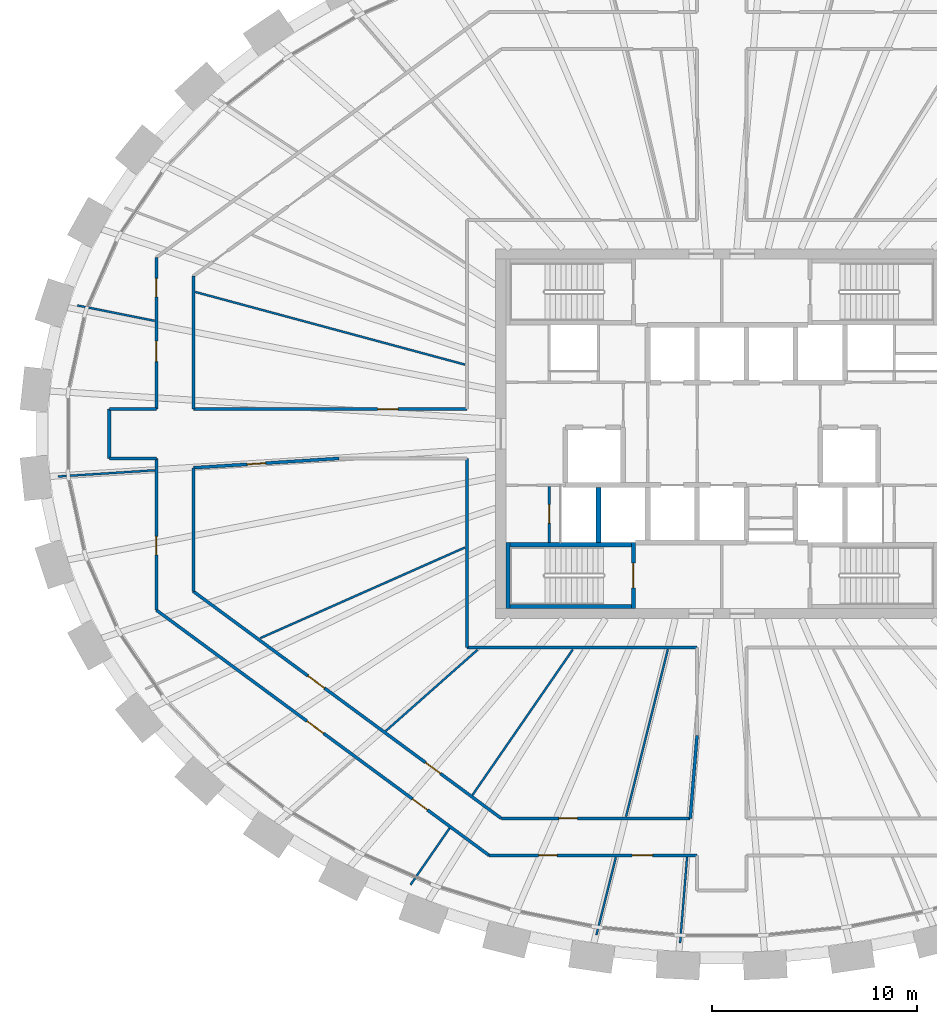
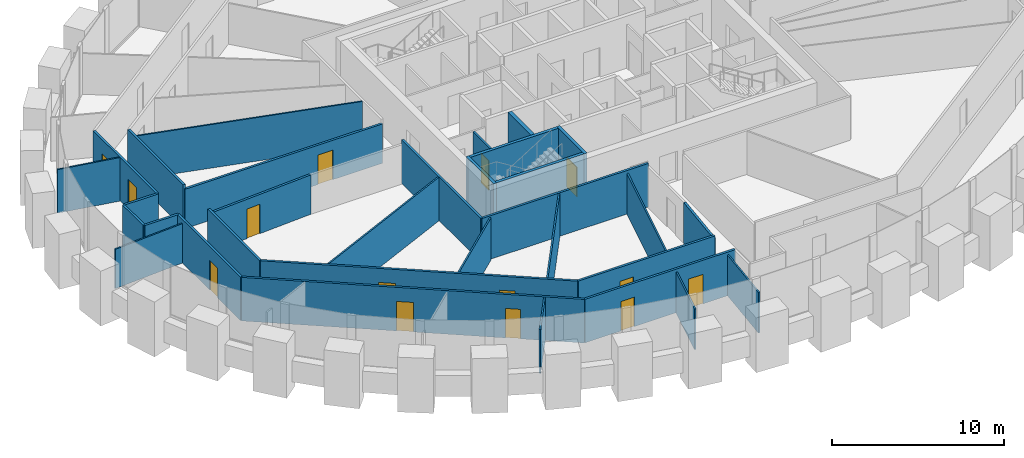
# One storey, part 6 of 12: 32 walls, 14 doors, 14 openings.
"""IFC4 building model written with IfcOpenShell, lengths in metres."""

import ifcopenshell
import ifcopenshell.guid

model = None  # the IFC model being written
_history = None  # IfcOwnerHistory: only IFC2X3 demands one
_inside = {}  # id of a spatial element -> (the spatial element, [elements in it])
_under = {}  # id of a project, library or spatial element -> (it, [spatial elements below it])
_declared = {}  # id of a project -> (the project, [libraries it declares])
_typed = {}  # id of a type object -> (the type object, [elements of that type])
_made_of = {}  # id of a material, layer set ... -> (it, [elements and type objects made of it])


def new_model(schema):
    """Start an empty IFC model of exactly this schema.

    Asked for "IFC4X3", IfcOpenShell would pick the latest addendum, in which some entities
    have other attributes; the version numbers below select the first issue.
    IFC2X3 requires an IfcOwnerHistory on every rooted entity: one is made here for all.
    """
    global model, _history
    if schema == "IFC4X3":
        model = ifcopenshell.file(schema_version=(4, 3, 0, 0))
    else:
        model = ifcopenshell.file(schema=schema)
    _inside.clear()
    _under.clear()
    _declared.clear()
    _typed.clear()
    _made_of.clear()
    _history = None
    if model.schema == "IFC2X3":
        org = make("IfcOrganization", Name="unknown")
        user = make(
            "IfcPersonAndOrganization",
            ThePerson=make("IfcPerson", FamilyName="unknown"),
            TheOrganization=org,
        )
        app = make(
            "IfcApplication",
            ApplicationDeveloper=org,
            Version="unknown",
            ApplicationFullName="unknown",
            ApplicationIdentifier="unknown",
        )
        _history = make(
            "IfcOwnerHistory",
            OwningUser=user,
            OwningApplication=app,
            ChangeAction="ADDED",
            CreationDate=0,
        )
    return model


def make(cls, **values):
    """One entity of the class cls with the attributes given. An attribute that is None is left unset."""
    return model.create_entity(
        cls, **{name: value for name, value in values.items() if value is not None}
    )


def rooted(cls, **values):
    """An entity with a GlobalId (a new one), such as an element, a storey or a relation."""
    return make(cls, GlobalId=ifcopenshell.guid.new(), OwnerHistory=_history, **values)


def si_unit(unit_type, name, prefix=None):
    """IfcSIUnit, for example si_unit("LENGTHUNIT", "METRE", prefix="MILLI")."""
    return make("IfcSIUnit", UnitType=unit_type, Prefix=prefix, Name=name)


def assignment(units):
    """IfcUnitAssignment: the units of a project."""
    return None if units is None else make("IfcUnitAssignment", Units=units)


def point(xyz):
    """IfcCartesianPoint."""
    return None if xyz is None else make("IfcCartesianPoint", Coordinates=xyz)


def direction(xyz):
    """IfcDirection."""
    return None if xyz is None else make("IfcDirection", DirectionRatios=xyz)


def frame(location, z_axis=None, x_axis=None):
    """IfcAxis2Placement3D, a coordinate frame: its origin and axes. An axis left out is left unset."""
    return make(
        "IfcAxis2Placement3D",
        Location=point(location),
        Axis=direction(z_axis),
        RefDirection=direction(x_axis),
    )


def frame_2d(location, x_axis=None):
    """IfcAxis2Placement2D, a coordinate frame in the plane: its origin and x axis."""
    return make(
        "IfcAxis2Placement2D", Location=point(location), RefDirection=direction(x_axis)
    )


def origin():
    """The frame at (0, 0, 0) with its axes left unset."""
    return frame((0.0, 0.0, 0.0))


def place(relative_to, where):
    """IfcLocalPlacement: puts the frame where relative to a parent placement (None: the world)."""
    return make(
        "IfcLocalPlacement", PlacementRelTo=relative_to, RelativePlacement=where
    )


def context(
    kind, dimensions, precision=None, world=None, true_north=None, identifier=None
):
    """IfcGeometricRepresentationContext, for example the 3D "Model" context."""
    return make(
        "IfcGeometricRepresentationContext",
        ContextIdentifier=identifier,
        ContextType=kind,
        CoordinateSpaceDimension=dimensions,
        Precision=precision,
        WorldCoordinateSystem=world,
        TrueNorth=true_north,
    )


def subcontext(parent, identifier, kind, view, scale=None):
    """IfcGeometricRepresentationSubContext, for example "Body" below "Model"."""
    return make(
        "IfcGeometricRepresentationSubContext",
        ContextIdentifier=identifier,
        ContextType=kind,
        ParentContext=parent,
        TargetScale=scale,
        TargetView=view,
    )


def project(units=None, contexts=None):
    """IfcProject with its units and contexts."""
    return rooted(
        "IfcProject",
        Name="project",
        RepresentationContexts=contexts,
        UnitsInContext=assignment(units),
    )


def spatial(cls, under=None, at=None, **own):
    """A site, building, storey or space (cls), placed at a placement, below another one or the project."""
    s = rooted(cls, ObjectPlacement=at, **own)
    if under is not None:
        _under.setdefault(under.id(), (under, []))[1].append(s)
    return s


def profile(cls, at=None, kind="AREA", **sizes):
    """A parametric profile (cls). Its sizes go by their IFC names, for example OverallWidth=200.0."""
    return make(cls, ProfileType=kind, Position=at, **sizes)


def rectangle(**sizes):
    """IfcRectangleProfileDef."""
    return profile("IfcRectangleProfileDef", **sizes)


def extrude(swept, where, along, depth):
    """IfcExtrudedAreaSolid: the profile swept, set in the frame where, extruded along a direction by depth."""
    return make(
        "IfcExtrudedAreaSolid",
        SweptArea=swept,
        Position=where,
        ExtrudedDirection=direction(along),
        Depth=depth,
    )


def shape(context_of_items, identifier, shape_type, items):
    """IfcShapeRepresentation: the items that make up one representation, for example the "Body"."""
    return make(
        "IfcShapeRepresentation",
        ContextOfItems=context_of_items,
        RepresentationIdentifier=identifier,
        RepresentationType=shape_type,
        Items=items,
    )


def source(mapping_origin, context_of_items, identifier, shape_type, items):
    """IfcRepresentationMap: a shape defined once, which mapped items show again and again."""
    return make(
        "IfcRepresentationMap",
        MappingOrigin=mapping_origin,
        MappedRepresentation=shape(context_of_items, identifier, shape_type, items),
    )


def transform(
    local_origin,
    x_axis=None,
    y_axis=None,
    z_axis=None,
    scale=None,
    scale2=None,
    scale3=None,
    uniform=True,
):
    """IfcCartesianTransformationOperator3D, or its non-uniform kind. x_axis, y_axis, z_axis: its Axis1, 2, 3."""
    if uniform:
        return make(
            "IfcCartesianTransformationOperator3D",
            Axis1=direction(x_axis),
            Axis2=direction(y_axis),
            LocalOrigin=point(local_origin),
            Scale=scale,
            Axis3=direction(z_axis),
        )
    return make(
        "IfcCartesianTransformationOperator3DnonUniform",
        Axis1=direction(x_axis),
        Axis2=direction(y_axis),
        LocalOrigin=point(local_origin),
        Scale=scale,
        Axis3=direction(z_axis),
        Scale2=scale2,
        Scale3=scale3,
    )


def mapped(mapping_source, mapping_target):
    """IfcMappedItem: shows the shape of a source again, moved by a transform."""
    return make(
        "IfcMappedItem", MappingSource=mapping_source, MappingTarget=mapping_target
    )


def material(Name=None, Category=None):
    """IfcMaterial."""
    return make("IfcMaterial", Name=Name, Category=Category)


def layer(
    of_material, thickness, ventilated=None, Name=None, Category=None, Priority=None
):
    """IfcMaterialLayer: one layer of a wall or slab, of a material (None: an air gap)."""
    return make(
        "IfcMaterialLayer",
        Material=of_material,
        LayerThickness=thickness,
        IsVentilated=ventilated,
        Name=Name,
        Category=Category,
        Priority=Priority,
    )


def layer_set(layers, Name=None):
    """IfcMaterialLayerSet."""
    return make("IfcMaterialLayerSet", MaterialLayers=layers, LayerSetName=Name)


def made_of(thing, what):
    """Note that an element or type object is made of a material, layer set ...; save() writes the relation."""
    if what is not None:
        _made_of.setdefault(what.id(), (what, []))[1].append(thing)
    return thing


def type_object(cls, material=None, **own):
    """A type object (cls), such as IfcWallType, which elements share."""
    return made_of(rooted(cls, **own), material)


def element(
    cls,
    number,
    at=None,
    inside=None,
    cuts=None,
    type_object=None,
    material=None,
    context=None,
    identifier="Body",
    shape_type=None,
    held_by="IfcProductDefinitionShape",
    body=None,
    shapes=None,
    **own,
):
    """One element of the class cls, such as IfcWall. Its Tag is "e" and its number.

    at: its placement. inside: the storey or other place that contains it. cuts: it is an
    opening in that element (IfcRelVoidsElement). A single representation is given by context,
    identifier, shape_type and body (its items); several are given by shapes. held_by: the class
    of the entity that holds the representations. save() writes the other relations.
    """
    e = rooted(cls, Tag="e%d" % number, ObjectPlacement=at, **own)
    if body is not None:
        shapes = [shape(context, identifier, shape_type, body)]
    if shapes is not None:
        e.Representation = make(held_by, Representations=shapes)
    if inside is not None:
        _inside.setdefault(inside.id(), (inside, []))[1].append(e)
    if cuts is not None:
        rooted(
            "IfcRelVoidsElement", RelatingBuildingElement=cuts, RelatedOpeningElement=e
        )
    if type_object is not None:
        _typed.setdefault(type_object.id(), (type_object, []))[1].append(e)
    return made_of(e, material)


def fill(opening, filler):
    """IfcRelFillsElement: the door or window that sits in an opening."""
    return rooted(
        "IfcRelFillsElement",
        RelatingOpeningElement=opening,
        RelatedBuildingElement=filler,
    )


def aggregate(whole, parts):
    """IfcRelAggregates: a whole, such as a stair, and the parts it consists of."""
    return rooted("IfcRelAggregates", RelatingObject=whole, RelatedObjects=parts)


def save(model, path):
    """Write the relations noted so far, then the file.

    IfcRelAggregates (storeys below a building ...), IfcRelContainedInSpatialStructure (elements
    in a storey), IfcRelDefinesByType, IfcRelAssociatesMaterial and IfcRelDeclares: one each for
    every whole, place, type object, material and project.
    """
    for whole, parts in _under.values():
        aggregate(whole, parts)
    for where, things in _inside.values():
        rooted(
            "IfcRelContainedInSpatialStructure",
            RelatedElements=things,
            RelatingStructure=where,
        )
    for kind, things in _typed.values():
        rooted("IfcRelDefinesByType", RelatedObjects=things, RelatingType=kind)
    for what, things in _made_of.values():
        rooted("IfcRelAssociatesMaterial", RelatedObjects=things, RelatingMaterial=what)
    for by, libraries in _declared.values():
        rooted("IfcRelDeclares", RelatingContext=by, RelatedDefinitions=libraries)
    model.write(path)


model = new_model("IFC4")

# Units and contexts
model_context = context("Model", 3, precision=1e-05, world=origin(), true_north=direction((0.0, 1.0)))
body_context = subcontext(model_context, "Body", "Model", "MODEL_VIEW")
ifc_project = project(units=[si_unit("LENGTHUNIT", "METRE"), si_unit("AREAUNIT", "SQUARE_METRE"), si_unit("VOLUMEUNIT", "CUBIC_METRE"), si_unit("PLANEANGLEUNIT", "RADIAN"), si_unit("MASSUNIT", "GRAM", prefix="KILO")], contexts=[model_context])

# Site, building, storey
site_placement = place(None, origin())
site = spatial("IfcSite", under=ifc_project, at=site_placement, CompositionType="ELEMENT")
building_placement = place(site_placement, origin())
building = spatial("IfcBuilding", under=site, at=building_placement, Name="Embergate Tower", CompositionType="ELEMENT")
storey_placement = place(building_placement, frame((0.0, 0.0, 253.89990234375)))
storey = spatial("IfcBuildingStorey", under=building, at=storey_placement, Name="L58", CompositionType="ELEMENT", Elevation=253.89990234375)

# Wall, opening, door
ifc_material_1 = material(Name="Core partition blockwork 120")
ifc_layer_1 = layer(ifc_material_1, 0.1201171875)
ifc_layer_set_1 = layer_set([ifc_layer_1], Name="Core partition blockwork 120")
wall_type_1 = type_object("IfcWallType", Name="Core partition blockwork 120", PredefinedType="PARTITIONING", material=ifc_layer_set_1)
shared_shape_1 = source(origin(), body_context, "Body", "SweptSolid", [
    extrude(rectangle(XDim=2.739990234375, YDim=0.1201171875, at=frame_2d((1.3701171875, 0.0))), origin(), (0.0, 0.0, 1.0), 3.10009765625),
])
wall_1_placement = place(storey_placement, frame((-8.39990234375, -2.56005859375, 0.0), z_axis=(0.0, 0.0, 1.0), x_axis=(0.0, -1.0, 0.0)))
wall_1 = element("IfcWall", 1, at=wall_1_placement, inside=storey, type_object=wall_type_1, Name="IP-3 wall", PredefinedType="PARTITIONING", context=body_context, shape_type="MappedRepresentation", body=[
    mapped(shared_shape_1, transform((0.0, 0.0, 0.0))),
])
shared_shape_2 = source(origin(), body_context, "Body", "SweptSolid", [
    extrude(rectangle(XDim=0.89990234375, YDim=2.10009765625, at=frame_2d((0.449951171875, 1.050048828125))), frame((0.0, 0.070068359375, 0.0), z_axis=(0.0, -1.0, 0.0), x_axis=(1.0, 0.0, 0.0)), (0.0, 0.0, 1.0), 0.14013671875),
])
opening_1_placement = place(wall_1_placement, frame((0.889892578125, 0.0, 0.0)))
opening_1 = element("IfcOpeningElement", 2, at=opening_1_placement, cuts=wall_1, Name="Opening ID-1", PredefinedType="OPENING", context=body_context, shape_type="MappedRepresentation", body=[
    mapped(shared_shape_2, transform((0.0, 0.0, 0.0))),
])
ifc_material_2 = material(Name="Interior door 900")
door_type_1 = type_object("IfcDoorType", Name="Interior door 900", OperationType="SINGLE_SWING_LEFT", PredefinedType="DOOR", material=ifc_material_2)
shared_shape_3 = source(origin(), body_context, "Body", "SweptSolid", [
    extrude(rectangle(XDim=0.89990234375, YDim=2.10009765625, at=frame_2d((0.449951171875, 1.050048828125))), frame((0.0, 0.02490234375, 0.0), z_axis=(0.0, -1.0, 0.0), x_axis=(1.0, 0.0, 0.0)), (0.0, 0.0, 1.0), 0.050048828125),
])
door_1_placement = place(opening_1_placement, origin())
door_1 = element("IfcDoor", 3, at=door_1_placement, inside=storey, type_object=door_type_1, Name="ID-1 door", OperationType="SINGLE_SWING_LEFT", OverallHeight=2.10009765625, OverallWidth=0.89990234375, PredefinedType="DOOR", context=body_context, shape_type="MappedRepresentation", body=[
    mapped(shared_shape_3, transform((0.0, 0.0, 0.0))),
])
fill(opening_1, door_1)

# Walls
ifc_material_3 = material(Name="Concrete C50", Category="concrete")
ifc_layer_2 = layer(ifc_material_3, 0.25)
ifc_layer_set_2 = layer_set([ifc_layer_2], Name="Concrete C50")
wall_type_2 = type_object("IfcWallType", Name="Hoistway wall reinforced concrete 250", PredefinedType="SHEAR", material=ifc_layer_set_2)
shared_shape_4 = source(origin(), body_context, "Body", "SweptSolid", [
    extrude(rectangle(XDim=2.675048828125, YDim=0.25, at=frame_2d((1.33740234375, 0.0))), origin(), (0.0, 0.0, 1.0), 3.7001953125),
])
wall_2_placement = place(storey_placement, frame((-6.0, -5.300048828125, 0.0), z_axis=(0.0, 0.0, 1.0), x_axis=(0.0, 1.0, 0.0)))
element("IfcWall", 4, at=wall_2_placement, inside=storey, type_object=wall_type_2, Name="HW-1 wall", PredefinedType="SHEAR", context=body_context, shape_type="MappedRepresentation", body=[
    mapped(shared_shape_4, transform((0.0, 0.0, 0.0))),
])
ifc_layer_3 = layer(ifc_material_3, 0.199951171875)
ifc_layer_set_3 = layer_set([ifc_layer_3], Name="Concrete C50")
wall_type_3 = type_object("IfcWallType", Name="Stair enclosure wall reinforced concrete 250", PredefinedType="SHEAR", material=ifc_layer_set_3)
shared_shape_5 = source(origin(), body_context, "Body", "SweptSolid", [
    extrude(rectangle(XDim=6.300048828125, YDim=0.199951171875, at=frame_2d((3.14990234375, 0.0))), origin(), (0.0, 0.0, 1.0), 3.7001953125),
])
wall_3_placement = place(storey_placement, frame((-10.5, -5.39990234375, 0.0), z_axis=(0.0, 0.0, 1.0), x_axis=(1.0, 0.0, 0.0)))
element("IfcWall", 5, at=wall_3_placement, inside=storey, type_object=wall_type_3, Name="SE-1 wall", PredefinedType="SHEAR", context=body_context, shape_type="MappedRepresentation", body=[
    mapped(shared_shape_5, transform((0.0, 0.0, 0.0))),
])

# Wall, opening, door
shared_shape_6 = source(origin(), body_context, "Body", "SweptSolid", [
    extrude(rectangle(XDim=3.199951171875, YDim=0.199951171875, at=frame_2d((1.60009765625, 0.0))), origin(), (0.0, 0.0, 1.0), 3.7001953125),
])
wall_4_placement = place(storey_placement, frame((-4.300048828125, -8.5, 0.0), z_axis=(0.0, 0.0, 1.0), x_axis=(0.0, 1.0, 0.0)))
wall_4 = element("IfcWall", 6, at=wall_4_placement, inside=storey, type_object=wall_type_3, Name="SE-1 wall", PredefinedType="SHEAR", context=body_context, shape_type="MappedRepresentation", body=[
    mapped(shared_shape_6, transform((0.0, 0.0, 0.0))),
])
shared_shape_7 = source(origin(), body_context, "Body", "SweptSolid", [
    extrude(rectangle(XDim=1.199951171875, YDim=2.10009765625, at=frame_2d((0.60009765625, 1.050048828125))), frame((0.0, 0.10986328125, 0.0), z_axis=(0.0, -1.0, 0.0), x_axis=(1.0, 0.0, 0.0)), (0.0, 0.0, 1.0), 0.219970703125),
])
opening_2_placement = place(wall_4_placement, frame((1.0, 0.0, 0.0)))
opening_2 = element("IfcOpeningElement", 7, at=opening_2_placement, cuts=wall_4, Name="Opening IF-2", PredefinedType="OPENING", context=body_context, shape_type="MappedRepresentation", body=[
    mapped(shared_shape_7, transform((0.0, 0.0, 0.0))),
])
ifc_material_4 = material(Name="Stair enclosure door 1200")
door_type_2 = type_object("IfcDoorType", Name="Stair enclosure door 1200", OperationType="SINGLE_SWING_LEFT", PredefinedType="DOOR", material=ifc_material_4)
shared_shape_8 = source(origin(), body_context, "Body", "SweptSolid", [
    extrude(rectangle(XDim=1.199951171875, YDim=2.10009765625, at=frame_2d((0.60009765625, 1.050048828125))), frame((0.0, 0.02490234375, 0.0), z_axis=(0.0, -1.0, 0.0), x_axis=(1.0, 0.0, 0.0)), (0.0, 0.0, 1.0), 0.050048828125),
])
door_2_placement = place(opening_2_placement, origin())
door_2 = element("IfcDoor", 8, at=door_2_placement, inside=storey, type_object=door_type_2, Name="IF-2 door", OperationType="SINGLE_SWING_LEFT", OverallHeight=2.10009765625, OverallWidth=1.199951171875, PredefinedType="DOOR", context=body_context, shape_type="MappedRepresentation", body=[
    mapped(shared_shape_8, transform((0.0, 0.0, 0.0))),
])
fill(opening_2, door_2)

ifc_material_5 = material(Name="Corridor wall dry-lined 150")
ifc_layer_4 = layer(ifc_material_5, 0.14990234375)
ifc_layer_set_4 = layer_set([ifc_layer_4], Name="Corridor wall dry-lined 150")
wall_type_4 = type_object("IfcWallType", Name="Corridor wall dry-lined 150", PredefinedType="PARTITIONING", material=ifc_layer_set_4)
shared_shape_9 = source(origin(), body_context, "Body", "SweptSolid", [
    extrude(rectangle(XDim=7.381103515625, YDim=0.14990234375, at=frame_2d((3.6904296875, 0.0))), origin(), (0.0, 0.0, 1.0), 3.10009765625),
])
wall_5_placement = place(storey_placement, frame((-27.510986328125, -1.199951171875, 0.0), z_axis=(0.0, 0.0, 1.0), x_axis=(0.0, -1.0, 0.0)))
wall_5 = element("IfcWall", 9, at=wall_5_placement, inside=storey, type_object=wall_type_4, Name="IP-2 wall", PredefinedType="PARTITIONING", context=body_context, shape_type="MappedRepresentation", body=[
    mapped(shared_shape_9, transform((0.0, 0.0, 0.0))),
])
shared_shape_10 = source(origin(), body_context, "Body", "SweptSolid", [
    extrude(rectangle(XDim=0.89990234375, YDim=2.10009765625, at=frame_2d((0.449951171875, 1.050048828125))), frame((0.0, 0.0849609375, 0.0), z_axis=(0.0, -1.0, 0.0), x_axis=(1.0, 0.0, 0.0)), (0.0, 0.0, 1.0), 0.169921875),
])
opening_3_placement = place(wall_5_placement, frame((3.7900390625, 0.0, 0.0)))
opening_3 = element("IfcOpeningElement", 10, at=opening_3_placement, cuts=wall_5, Name="Opening IF-1c", PredefinedType="OPENING", context=body_context, shape_type="MappedRepresentation", body=[
    mapped(shared_shape_10, transform((0.0, 0.0, 0.0))),
])
ifc_material_6 = material(Name="Escape fire door 900")
door_type_3 = type_object("IfcDoorType", Name="Escape fire door 900", OperationType="SINGLE_SWING_LEFT", PredefinedType="DOOR", material=ifc_material_6)
door_3_placement = place(opening_3_placement, origin())
door_3 = element("IfcDoor", 11, at=door_3_placement, inside=storey, type_object=door_type_3, Name="IF-1 door", OperationType="SINGLE_SWING_LEFT", OverallHeight=2.10009765625, OverallWidth=0.89990234375, PredefinedType="DOOR", context=body_context, shape_type="MappedRepresentation", body=[
    mapped(shared_shape_3, transform((0.0, 0.0, 0.0))),
])
fill(opening_3, door_3)

# Wall, openings, doors
wall_6_placement = place(storey_placement, frame((-27.510986328125, 1.199951171875, 0.0), z_axis=(0.0, 0.0, 1.0), x_axis=(0.0, 1.0, 0.0)))
wall_6 = element("IfcWall", 12, at=wall_6_placement, inside=storey, type_object=wall_type_4, Name="IP-2 wall", PredefinedType="PARTITIONING", context=body_context, shape_type="MappedRepresentation", body=[
    mapped(shared_shape_9, transform((0.0, 0.0, 0.0))),
])
opening_4_placement = place(wall_6_placement, frame((5.4599609375, 0.0, 0.0)))
opening_4 = element("IfcOpeningElement", 13, at=opening_4_placement, cuts=wall_6, Name="Opening IF-1c", PredefinedType="OPENING", context=body_context, shape_type="MappedRepresentation", body=[
    mapped(shared_shape_10, transform((0.0, 0.0, 0.0))),
])
shared_shape_11 = source(origin(), body_context, "Body", "SweptSolid", [
    extrude(rectangle(XDim=1.0, YDim=2.10009765625, at=frame_2d((0.5, 1.050048828125))), frame((0.0, 0.0849609375, 0.0), z_axis=(0.0, -1.0, 0.0), x_axis=(1.0, 0.0, 0.0)), (0.0, 0.0, 1.0), 0.169921875),
])
opening_5_placement = place(wall_6_placement, frame((2.31005859375, 0.0, 0.0)))
opening_5 = element("IfcOpeningElement", 14, at=opening_5_placement, cuts=wall_6, Name="Opening ID-2", PredefinedType="OPENING", context=body_context, shape_type="MappedRepresentation", body=[
    mapped(shared_shape_11, transform((0.0, 0.0, 0.0))),
])
door_4_placement = place(opening_4_placement, origin())
door_4 = element("IfcDoor", 15, at=door_4_placement, inside=storey, type_object=door_type_3, Name="IF-1 door", OperationType="SINGLE_SWING_LEFT", OverallHeight=2.10009765625, OverallWidth=0.89990234375, PredefinedType="DOOR", context=body_context, shape_type="MappedRepresentation", body=[
    mapped(shared_shape_3, transform((0.0, 0.0, 0.0))),
])
fill(opening_4, door_4)
ifc_material_7 = material(Name="Interior door 1000")
door_type_4 = type_object("IfcDoorType", Name="Interior door 1000", OperationType="SINGLE_SWING_LEFT", PredefinedType="DOOR", material=ifc_material_7)
shared_shape_12 = source(origin(), body_context, "Body", "SweptSolid", [
    extrude(rectangle(XDim=1.0, YDim=2.10009765625, at=frame_2d((0.5, 1.050048828125))), frame((0.0, 0.02490234375, 0.0), z_axis=(0.0, -1.0, 0.0), x_axis=(1.0, 0.0, 0.0)), (0.0, 0.0, 1.0), 0.050048828125),
])
door_5_placement = place(opening_5_placement, origin())
door_5 = element("IfcDoor", 16, at=door_5_placement, inside=storey, type_object=door_type_4, Name="ID-2 door", OperationType="SINGLE_SWING_RIGHT", OverallHeight=2.10009765625, OverallWidth=1.0, PredefinedType="DOOR", context=body_context, shape_type="MappedRepresentation", body=[
    mapped(shared_shape_12, transform((0.0, 0.0, 0.0))),
])
fill(opening_5, door_5)

shared_shape_13 = source(origin(), body_context, "Body", "SweptSolid", [
    extrude(rectangle(XDim=20.116455078125, YDim=0.14990234375, at=frame_2d((10.05810546875, 0.0))), origin(), (0.0, 0.0, 1.0), 3.10009765625),
])
wall_7_placement = place(storey_placement, frame((-27.510986328125, -8.5810546875, 0.0), z_axis=(0.0, 0.0, 1.0), x_axis=(0.804910001979, -0.593396906559, 0.0)))
wall_7 = element("IfcWall", 17, at=wall_7_placement, inside=storey, type_object=wall_type_4, Name="IP-2 wall", PredefinedType="PARTITIONING", context=body_context, shape_type="MappedRepresentation", body=[
    mapped(shared_shape_13, transform((0.0, 0.0, 0.0))),
])
opening_6_placement = place(wall_7_placement, frame((9.1064453125, 0.0, 0.0)))
opening_6 = element("IfcOpeningElement", 18, at=opening_6_placement, cuts=wall_7, Name="Opening ID-2", PredefinedType="OPENING", context=body_context, shape_type="MappedRepresentation", body=[
    mapped(shared_shape_11, transform((0.0, 0.0, 0.0))),
])
opening_7_placement = place(wall_7_placement, frame((15.489990234375, 0.0, 0.0)))
opening_7 = element("IfcOpeningElement", 19, at=opening_7_placement, cuts=wall_7, Name="Opening IF-1c", PredefinedType="OPENING", context=body_context, shape_type="MappedRepresentation", body=[
    mapped(shared_shape_10, transform((0.0, 0.0, 0.0))),
])
door_6_placement = place(opening_7_placement, origin())
door_6 = element("IfcDoor", 20, at=door_6_placement, inside=storey, type_object=door_type_3, Name="IF-1 door", OperationType="SINGLE_SWING_RIGHT", OverallHeight=2.10009765625, OverallWidth=0.89990234375, PredefinedType="DOOR", context=body_context, shape_type="MappedRepresentation", body=[
    mapped(shared_shape_3, transform((0.0, 0.0, 0.0))),
])
fill(opening_7, door_6)
door_7_placement = place(opening_6_placement, origin())
door_7 = element("IfcDoor", 21, at=door_7_placement, inside=storey, type_object=door_type_4, Name="ID-2 door", OperationType="SINGLE_SWING_RIGHT", OverallHeight=2.10009765625, OverallWidth=1.0, PredefinedType="DOOR", context=body_context, shape_type="MappedRepresentation", body=[
    mapped(shared_shape_12, transform((0.0, 0.0, 0.0))),
])
fill(opening_6, door_7)

shared_shape_14 = source(origin(), body_context, "Body", "SweptSolid", [
    extrude(rectangle(XDim=18.615966796875, YDim=0.14990234375, at=frame_2d((9.30810546875, 0.0))), origin(), (0.0, 0.0, 1.0), 3.10009765625),
])
wall_8_placement = place(storey_placement, frame((-10.72705078125, -18.718017578125, 0.0), z_axis=(0.0, 0.0, 1.0), x_axis=(-0.804892640185, 0.593420456149, 0.0)))
wall_8 = element("IfcWall", 22, at=wall_8_placement, inside=storey, type_object=wall_type_4, Name="IP-2 wall", PredefinedType="PARTITIONING", context=body_context, shape_type="MappedRepresentation", body=[
    mapped(shared_shape_14, transform((0.0, 0.0, 0.0))),
])
opening_8_placement = place(wall_8_placement, frame((10.686279296875, 0.0, 0.0)))
opening_8 = element("IfcOpeningElement", 23, at=opening_8_placement, cuts=wall_8, Name="Opening ID-2", PredefinedType="OPENING", context=body_context, shape_type="MappedRepresentation", body=[
    mapped(shared_shape_11, transform((0.0, 0.0, 0.0))),
])
opening_9_placement = place(wall_8_placement, frame((3.68115234375, 0.0, 0.0)))
opening_9 = element("IfcOpeningElement", 24, at=opening_9_placement, cuts=wall_8, Name="Opening IF-1c", PredefinedType="OPENING", context=body_context, shape_type="MappedRepresentation", body=[
    mapped(shared_shape_10, transform((0.0, 0.0, 0.0))),
])
door_8_placement = place(opening_9_placement, origin())
door_8 = element("IfcDoor", 25, at=door_8_placement, inside=storey, type_object=door_type_3, Name="IF-1 door", OperationType="SINGLE_SWING_LEFT", OverallHeight=2.10009765625, OverallWidth=0.89990234375, PredefinedType="DOOR", context=body_context, shape_type="MappedRepresentation", body=[
    mapped(shared_shape_3, transform((0.0, 0.0, 0.0))),
])
fill(opening_9, door_8)
door_9_placement = place(opening_8_placement, origin())
door_9 = element("IfcDoor", 26, at=door_9_placement, inside=storey, type_object=door_type_4, Name="ID-2 door", OperationType="SINGLE_SWING_RIGHT", OverallHeight=2.10009765625, OverallWidth=1.0, PredefinedType="DOOR", context=body_context, shape_type="MappedRepresentation", body=[
    mapped(shared_shape_12, transform((0.0, 0.0, 0.0))),
])
fill(opening_8, door_9)

# Wall
shared_shape_15 = source(origin(), body_context, "Body", "SweptSolid", [
    extrude(rectangle(XDim=6.014892578125, YDim=0.14990234375, at=frame_2d((3.00732421875, 0.0))), origin(), (0.0, 0.0, 1.0), 3.10009765625),
])
wall_9_placement = place(storey_placement, frame((-25.7109375, -7.6708984375, 0.0), z_axis=(0.0, 0.0, 1.0), x_axis=(0.0, 1.0, 0.0)))
element("IfcWall", 27, at=wall_9_placement, inside=storey, type_object=wall_type_4, Name="IP-2 wall", PredefinedType="PARTITIONING", context=body_context, shape_type="MappedRepresentation", body=[
    mapped(shared_shape_15, transform((0.0, 0.0, 0.0))),
])

# Wall, opening, door
shared_shape_16 = source(origin(), body_context, "Body", "SweptSolid", [
    extrude(rectangle(XDim=7.095703125, YDim=0.14990234375, at=frame_2d((3.5478515625, 0.0))), origin(), (0.0, 0.0, 1.0), 2.800048828125),
])
wall_10_placement = place(storey_placement, frame((-25.7109375, -1.656005859375, 0.0), z_axis=(0.0, 0.0, 1.0), x_axis=(0.997932433773, 0.064271748252, 0.0)))
wall_10 = element("IfcWall", 28, at=wall_10_placement, inside=storey, type_object=wall_type_4, Name="IP-2 wall", PredefinedType="PARTITIONING", context=body_context, shape_type="MappedRepresentation", body=[
    mapped(shared_shape_16, transform((0.0, 0.0, 0.0))),
])
opening_10_placement = place(wall_10_placement, frame((2.625732421875, 0.0, 0.0)))
opening_10 = element("IfcOpeningElement", 29, at=opening_10_placement, cuts=wall_10, Name="Opening IF-1c", PredefinedType="OPENING", context=body_context, shape_type="MappedRepresentation", body=[
    mapped(shared_shape_10, transform((0.0, 0.0, 0.0))),
])
door_10_placement = place(opening_10_placement, origin())
door_10 = element("IfcDoor", 30, at=door_10_placement, inside=storey, type_object=door_type_3, Name="IF-1 door", OperationType="SINGLE_SWING_RIGHT", OverallHeight=2.10009765625, OverallWidth=0.89990234375, PredefinedType="DOOR", context=body_context, shape_type="MappedRepresentation", body=[
    mapped(shared_shape_3, transform((0.0, 0.0, 0.0))),
])
fill(opening_10, door_10)

# Walls
shared_shape_17 = source(origin(), body_context, "Body", "SweptSolid", [
    extrude(rectangle(XDim=9.199951171875, YDim=0.14990234375, at=frame_2d((4.60009765625, 0.0))), origin(), (0.0, 0.0, 1.0), 3.10009765625),
])
wall_11_placement = place(storey_placement, frame((-12.39990234375, -1.199951171875, 0.0), z_axis=(0.0, 0.0, 1.0), x_axis=(0.0, -1.0, 0.0)))
element("IfcWall", 31, at=wall_11_placement, inside=storey, type_object=wall_type_4, Name="IP-2 wall", PredefinedType="PARTITIONING", context=body_context, shape_type="MappedRepresentation", body=[
    mapped(shared_shape_17, transform((0.0, 0.0, 0.0))),
])
shared_shape_18 = source(origin(), body_context, "Body", "SweptSolid", [
    extrude(rectangle(XDim=11.199951171875, YDim=0.14990234375, at=frame_2d((5.60009765625, 0.0))), origin(), (0.0, 0.0, 1.0), 3.10009765625),
])
wall_12_placement = place(storey_placement, frame((-12.39990234375, -10.39990234375, 0.0), z_axis=(0.0, 0.0, 1.0), x_axis=(1.0, 0.0, 0.0)))
element("IfcWall", 32, at=wall_12_placement, inside=storey, type_object=wall_type_4, Name="IP-2 wall", PredefinedType="PARTITIONING", context=body_context, shape_type="MappedRepresentation", body=[
    mapped(shared_shape_18, transform((0.0, 0.0, 0.0))),
])

# Wall, openings, doors
shared_shape_19 = source(origin(), body_context, "Body", "SweptSolid", [
    extrude(rectangle(XDim=10.119140625, YDim=0.14990234375, at=frame_2d((5.0595703125, 0.0))), origin(), (0.0, 0.0, 1.0), 3.10009765625),
])
wall_13_placement = place(storey_placement, frame((-1.199951171875, -20.51806640625, 0.0), z_axis=(0.0, 0.0, 1.0), x_axis=(-1.0, 0.0, 0.0)))
wall_13 = element("IfcWall", 33, at=wall_13_placement, inside=storey, type_object=wall_type_4, Name="IP-2 wall", PredefinedType="PARTITIONING", context=body_context, shape_type="MappedRepresentation", body=[
    mapped(shared_shape_19, transform((0.0, 0.0, 0.0))),
])
opening_11_placement = place(wall_13_placement, frame((6.805908203125, 0.0, 0.0)))
opening_11 = element("IfcOpeningElement", 34, at=opening_11_placement, cuts=wall_13, Name="Opening IF-1c", PredefinedType="OPENING", context=body_context, shape_type="MappedRepresentation", body=[
    mapped(shared_shape_10, transform((0.0, 0.0, 0.0))),
])
opening_12_placement = place(wall_13_placement, frame((2.1630859375, 0.0, 0.0)))
opening_12 = element("IfcOpeningElement", 35, at=opening_12_placement, cuts=wall_13, Name="Opening ID-2", PredefinedType="OPENING", context=body_context, shape_type="MappedRepresentation", body=[
    mapped(shared_shape_11, transform((0.0, 0.0, 0.0))),
])
door_11_placement = place(opening_11_placement, origin())
door_11 = element("IfcDoor", 36, at=door_11_placement, inside=storey, type_object=door_type_3, Name="IF-1 door", OperationType="SINGLE_SWING_LEFT", OverallHeight=2.10009765625, OverallWidth=0.89990234375, PredefinedType="DOOR", context=body_context, shape_type="MappedRepresentation", body=[
    mapped(shared_shape_3, transform((0.0, 0.0, 0.0))),
])
fill(opening_11, door_11)
door_12_placement = place(opening_12_placement, origin())
door_12 = element("IfcDoor", 37, at=door_12_placement, inside=storey, type_object=door_type_4, Name="ID-2 door", OperationType="SINGLE_SWING_LEFT", OverallHeight=2.10009765625, OverallWidth=1.0, PredefinedType="DOOR", context=body_context, shape_type="MappedRepresentation", body=[
    mapped(shared_shape_12, transform((0.0, 0.0, 0.0))),
])
fill(opening_12, door_12)

# Wall, opening, door
shared_shape_20 = source(origin(), body_context, "Body", "SweptSolid", [
    extrude(rectangle(XDim=9.197021484375, YDim=0.14990234375, at=frame_2d((4.5986328125, 0.0))), origin(), (0.0, 0.0, 1.0), 3.10009765625),
])
wall_14_placement = place(storey_placement, frame((-10.72705078125, -18.718017578125, 0.0), z_axis=(0.0, 0.0, 1.0), x_axis=(1.0, 0.0, 0.0)))
wall_14 = element("IfcWall", 38, at=wall_14_placement, inside=storey, type_object=wall_type_4, Name="IP-2 wall", PredefinedType="PARTITIONING", context=body_context, shape_type="MappedRepresentation", body=[
    mapped(shared_shape_20, transform((0.0, 0.0, 0.0))),
])
opening_13_placement = place(wall_14_placement, frame((2.802978515625, 0.0, 0.0)))
opening_13 = element("IfcOpeningElement", 39, at=opening_13_placement, cuts=wall_14, Name="Opening IF-1c", PredefinedType="OPENING", context=body_context, shape_type="MappedRepresentation", body=[
    mapped(shared_shape_10, transform((0.0, 0.0, 0.0))),
])
door_13_placement = place(opening_13_placement, origin())
door_13 = element("IfcDoor", 40, at=door_13_placement, inside=storey, type_object=door_type_3, Name="IF-1 door", OperationType="SINGLE_SWING_LEFT", OverallHeight=2.10009765625, OverallWidth=0.89990234375, PredefinedType="DOOR", context=body_context, shape_type="MappedRepresentation", body=[
    mapped(shared_shape_3, transform((0.0, 0.0, 0.0))),
])
fill(opening_13, door_13)

# Walls
shared_shape_21 = source(origin(), body_context, "Body", "SweptSolid", [
    extrude(rectangle(XDim=2.39990234375, YDim=0.14990234375, at=frame_2d((1.199951171875, 0.0))), origin(), (0.0, 0.0, 1.0), 3.10009765625),
])
wall_15_placement = place(storey_placement, frame((-29.803955078125, -1.199951171875, 0.0), z_axis=(0.0, 0.0, 1.0), x_axis=(0.0, 1.0, 0.0)))
element("IfcWall", 41, at=wall_15_placement, inside=storey, type_object=wall_type_4, Name="IP-2 wall", PredefinedType="PARTITIONING", context=body_context, shape_type="MappedRepresentation", body=[
    mapped(shared_shape_21, transform((0.0, 0.0, 0.0))),
])
shared_shape_22 = source(origin(), body_context, "Body", "SweptSolid", [
    extrude(rectangle(XDim=2.29296875, YDim=0.14990234375, at=frame_2d((1.146484375, 0.0))), origin(), (0.0, 0.0, 1.0), 3.10009765625),
])
for number, where, z_axis, x_axis, name in (
    (42, (-27.510986328125, -1.199951171875, 0.0), (0.0, 0.0, 1.0), (-1.0, 0.0, 0.0), "IP-2 wall"),
    (43, (-29.803955078125, 1.199951171875, 0.0), (0.0, 0.0, 1.0), (1.0, 0.0, 0.0), "IP-2 wall"),
):
    element("IfcWall", number, at=place(storey_placement, frame(where, z_axis=z_axis, x_axis=x_axis)), inside=storey, type_object=wall_type_4, Name=name, PredefinedType="PARTITIONING", context=body_context, shape_type="MappedRepresentation", body=[
        mapped(shared_shape_22, transform((0.0, 0.0, 0.0))),
    ])
shared_shape_23 = source(origin(), body_context, "Body", "SweptSolid", [
    extrude(rectangle(XDim=6.470947265625, YDim=0.14990234375, at=frame_2d((3.2353515625, 0.0))), origin(), (0.0, 0.0, 1.0), 3.10009765625),
])
wall_16_placement = place(storey_placement, frame((-25.7109375, 7.6708984375, 0.0), z_axis=(0.0, 0.0, 1.0), x_axis=(0.0, -1.0, 0.0)))
element("IfcWall", 44, at=wall_16_placement, inside=storey, type_object=wall_type_4, Name="IP-2 wall", PredefinedType="PARTITIONING", context=body_context, shape_type="MappedRepresentation", body=[
    mapped(shared_shape_23, transform((0.0, 0.0, 0.0))),
])

# Wall, opening, door
shared_shape_24 = source(origin(), body_context, "Body", "SweptSolid", [
    extrude(rectangle(XDim=13.31103515625, YDim=0.14990234375, at=frame_2d((6.655517578125, 0.0))), origin(), (0.0, 0.0, 1.0), 2.800048828125),
])
wall_17_placement = place(storey_placement, frame((-25.7109375, 1.199951171875, 0.0), z_axis=(0.0, 0.0, 1.0), x_axis=(1.0, 0.0, 0.0)))
wall_17 = element("IfcWall", 45, at=wall_17_placement, inside=storey, type_object=wall_type_4, Name="IP-2 wall", PredefinedType="PARTITIONING", context=body_context, shape_type="MappedRepresentation", body=[
    mapped(shared_shape_24, transform((0.0, 0.0, 0.0))),
])
opening_14_placement = place(wall_17_placement, frame((8.96630859375, 0.0, 0.0)))
opening_14 = element("IfcOpeningElement", 46, at=opening_14_placement, cuts=wall_17, Name="Opening ID-2", PredefinedType="OPENING", context=body_context, shape_type="MappedRepresentation", body=[
    mapped(shared_shape_11, transform((0.0, 0.0, 0.0))),
])
door_14_placement = place(opening_14_placement, origin())
door_14 = element("IfcDoor", 47, at=door_14_placement, inside=storey, type_object=door_type_4, Name="ID-2 door", OperationType="SINGLE_SWING_RIGHT", OverallHeight=2.10009765625, OverallWidth=1.0, PredefinedType="DOOR", context=body_context, shape_type="MappedRepresentation", body=[
    mapped(shared_shape_12, transform((0.0, 0.0, 0.0))),
])
fill(opening_14, door_14)

# Walls
ifc_material_8 = material(Name="Partition dry-lined 100")
ifc_layer_5 = layer(ifc_material_8, 0.10009765625)
ifc_layer_set_5 = layer_set([ifc_layer_5], Name="Partition dry-lined 100")
wall_type_5 = type_object("IfcWallType", Name="Partition dry-lined 100", PredefinedType="PARTITIONING", material=ifc_layer_set_5)
shared_shape_25 = source(origin(), body_context, "Body", "SweptSolid", [
    extrude(rectangle(XDim=4.7119140625, YDim=0.10009765625, at=frame_2d((2.35595703125, 0.0))), origin(), (0.0, 0.0, 1.0), 2.800048828125),
])
wall_18_placement = place(storey_placement, frame((-27.5859375, -1.777099609375, 0.0), z_axis=(0.0, 0.0, 1.0), x_axis=(-0.997930567538, -0.064300718293, 0.0)))
element("IfcWall", 48, at=wall_18_placement, inside=storey, type_object=wall_type_5, Name="IP-1 wall", PredefinedType="PARTITIONING", context=body_context, shape_type="MappedRepresentation", body=[
    mapped(shared_shape_25, transform((0.0, 0.0, 0.0))),
])
shared_shape_26 = source(origin(), body_context, "Body", "SweptSolid", [
    extrude(rectangle(XDim=10.894287109375, YDim=0.10009765625, at=frame_2d((5.447265625, 0.0))), origin(), (0.0, 0.0, 1.0), 3.10009765625),
])
wall_19_placement = place(storey_placement, frame((-12.4951171875, -5.534912109375, 0.0), z_axis=(0.0, 0.0, 1.0), x_axis=(-0.914320940178, -0.404990392914, 0.0)))
element("IfcWall", 49, at=wall_19_placement, inside=storey, type_object=wall_type_5, Name="IP-1 wall", PredefinedType="PARTITIONING", context=body_context, shape_type="MappedRepresentation", body=[
    mapped(shared_shape_26, transform((0.0, 0.0, 0.0))),
])
shared_shape_27 = source(origin(), body_context, "Body", "SweptSolid", [
    extrude(rectangle(XDim=3.34716796875, YDim=0.10009765625, at=frame_2d((1.673583984375, 0.0))), origin(), (0.0, 0.0, 1.0), 3.10009765625),
])
wall_20_placement = place(storey_placement, frame((-13.240966796875, -19.194091796875, 0.0), z_axis=(0.0, 0.0, 1.0), x_axis=(-0.567976668544, -0.823044654918, 0.0)))
element("IfcWall", 50, at=wall_20_placement, inside=storey, type_object=wall_type_5, Name="IP-1 wall", PredefinedType="PARTITIONING", context=body_context, shape_type="MappedRepresentation", body=[
    mapped(shared_shape_27, transform((0.0, 0.0, 0.0))),
])
shared_shape_28 = source(origin(), body_context, "Body", "SweptSolid", [
    extrude(rectangle(XDim=8.60693359375, YDim=0.10009765625, at=frame_2d((4.303466796875, 0.0))), origin(), (0.0, 0.0, 1.0), 3.10009765625),
])
wall_21_placement = place(storey_placement, frame((-7.24609375, -10.5029296875, 0.0), z_axis=(0.0, 0.0, 1.0), x_axis=(-0.56779459972, -0.823170269464, 0.0)))
element("IfcWall", 51, at=wall_21_placement, inside=storey, type_object=wall_type_5, Name="IP-1 wall", PredefinedType="PARTITIONING", context=body_context, shape_type="MappedRepresentation", body=[
    mapped(shared_shape_28, transform((0.0, 0.0, 0.0))),
])
shared_shape_29 = source(origin(), body_context, "Body", "SweptSolid", [
    extrude(rectangle(XDim=3.83203125, YDim=0.10009765625, at=frame_2d((1.916015625, 0.0))), origin(), (0.0, 0.0, 1.0), 3.10009765625),
])
wall_22_placement = place(storey_placement, frame((-27.595947265625, 5.49609375, 0.0), z_axis=(0.0, 0.0, 1.0), x_axis=(-0.980710334015, 0.195466725444, 0.0)))
element("IfcWall", 52, at=wall_22_placement, inside=storey, type_object=wall_type_5, Name="IP-1 wall", PredefinedType="PARTITIONING", context=body_context, shape_type="MappedRepresentation", body=[
    mapped(shared_shape_29, transform((0.0, 0.0, 0.0))),
])
shared_shape_30 = source(origin(), body_context, "Body", "SweptSolid", [
    extrude(rectangle(XDim=13.603271484375, YDim=0.10009765625, at=frame_2d((6.8017578125, 0.0))), origin(), (0.0, 0.0, 1.0), 3.10009765625),
])
wall_23_placement = place(storey_placement, frame((-12.488037109375, 3.364013671875, 0.0), z_axis=(0.0, 0.0, 1.0), x_axis=(-0.965583693555, 0.260092542648, 0.0)))
element("IfcWall", 53, at=wall_23_placement, inside=storey, type_object=wall_type_5, Name="IP-1 wall", PredefinedType="PARTITIONING", context=body_context, shape_type="MappedRepresentation", body=[
    mapped(shared_shape_30, transform((0.0, 0.0, 0.0))),
])
shared_shape_31 = source(origin(), body_context, "Body", "SweptSolid", [
    extrude(rectangle(XDim=4.04638671875, YDim=0.14990234375, at=frame_2d((2.023193359375, 0.0))), origin(), (0.0, 0.0, 1.0), 2.900146484375),
])
wall_24_placement = place(storey_placement, frame((-1.199951171875, -14.68505859375, 0.0), z_axis=(0.0, 0.0, 1.0), x_axis=(-0.081572392455, -0.996667419348, 0.0)))
element("IfcWall", 54, at=wall_24_placement, inside=storey, type_object=wall_type_4, Name="IP-2 wall", PredefinedType="PARTITIONING", context=body_context, shape_type="MappedRepresentation", body=[
    mapped(shared_shape_31, transform((0.0, 0.0, 0.0))),
])
shared_shape_32 = source(origin(), body_context, "Body", "SweptSolid", [
    extrude(rectangle(XDim=5.968017578125, YDim=0.10009765625, at=frame_2d((2.98388671875, 0.0))), origin(), (0.0, 0.0, 1.0), 3.0),
])
wall_25_placement = place(storey_placement, frame((-11.8798828125, -10.511962890625, 0.0), z_axis=(0.0, 0.0, 1.0), x_axis=(-0.748870055166, -0.662716862979, 0.0)))
element("IfcWall", 55, at=wall_25_placement, inside=storey, type_object=wall_type_5, Name="IP-1 wall", PredefinedType="PARTITIONING", context=body_context, shape_type="MappedRepresentation", body=[
    mapped(shared_shape_32, transform((0.0, 0.0, 0.0))),
])
shared_shape_33 = source(origin(), body_context, "Body", "SweptSolid", [
    extrude(rectangle(XDim=3.901123046875, YDim=0.10009765625, at=frame_2d((1.95068359375, 0.0))), origin(), (0.0, 0.0, 1.0), 2.900146484375),
])
wall_26_placement = place(storey_placement, frame((-5.14697265625, -20.60498046875, 0.0), z_axis=(0.0, 0.0, 1.0), x_axis=(-0.242255835543, -0.970212404655, 0.0)))
element("IfcWall", 56, at=wall_26_placement, inside=storey, type_object=wall_type_5, Name="IP-1 wall", PredefinedType="PARTITIONING", context=body_context, shape_type="MappedRepresentation", body=[
    mapped(shared_shape_33, transform((0.0, 0.0, 0.0))),
])
shared_shape_34 = source(origin(), body_context, "Body", "SweptSolid", [
    extrude(rectangle(XDim=4.206787109375, YDim=0.10009765625, at=frame_2d((2.103515625, 0.0))), origin(), (0.0, 0.0, 1.0), 2.900146484375),
])
wall_27_placement = place(storey_placement, frame((-1.68310546875, -20.592041015625, 0.0), z_axis=(0.0, 0.0, 1.0), x_axis=(-0.081249060301, -0.996693829719, 0.0)))
element("IfcWall", 57, at=wall_27_placement, inside=storey, type_object=wall_type_5, Name="IP-1 wall", PredefinedType="PARTITIONING", context=body_context, shape_type="MappedRepresentation", body=[
    mapped(shared_shape_34, transform((0.0, 0.0, 0.0))),
])
shared_shape_35 = source(origin(), body_context, "Body", "SweptSolid", [
    extrude(rectangle(XDim=8.39453125, YDim=0.10009765625, at=frame_2d((4.197265625, 0.0))), origin(), (0.0, 0.0, 1.0), 2.900146484375),
])
wall_28_placement = place(storey_placement, frame((-2.618896484375, -10.487060546875, 0.0), z_axis=(0.0, 0.0, 1.0), x_axis=(-0.242439819477, -0.970166446509, 0.0)))
element("IfcWall", 58, at=wall_28_placement, inside=storey, type_object=wall_type_5, Name="IP-1 wall", PredefinedType="PARTITIONING", context=body_context, shape_type="MappedRepresentation", body=[
    mapped(shared_shape_35, transform((0.0, 0.0, 0.0))),
])
shared_shape_36 = source(origin(), body_context, "Body", "SweptSolid", [
    extrude(rectangle(XDim=6.298095703125, YDim=0.199951171875, at=frame_2d((3.14892578125, 0.0))), origin(), (0.0, 0.0, 1.0), 3.7001953125),
])
wall_29_placement = place(storey_placement, frame((-10.5, -8.39990234375, 0.0), z_axis=(0.0, 0.0, 1.0), x_axis=(1.0, 0.0, 0.0)))
element("IfcWall", 59, at=wall_29_placement, inside=storey, type_object=wall_type_3, Name="SE-1 wall", PredefinedType="SHEAR", context=body_context, shape_type="MappedRepresentation", body=[
    mapped(shared_shape_36, transform((0.0, 0.0, 0.0))),
])
shared_shape_37 = source(origin(), body_context, "Body", "SweptSolid", [
    extrude(rectangle(XDim=3.197998046875, YDim=0.199951171875, at=frame_2d((1.59912109375, 0.0))), origin(), (0.0, 0.0, 1.0), 3.7001953125),
])
wall_30_placement = place(storey_placement, frame((-10.39990234375, -5.302001953125, 0.0), z_axis=(0.0, 0.0, 1.0), x_axis=(0.0, -1.0, 0.0)))
element("IfcWall", 60, at=wall_30_placement, inside=storey, type_object=wall_type_3, Name="SE-1 wall", PredefinedType="SHEAR", context=body_context, shape_type="MappedRepresentation", body=[
    mapped(shared_shape_37, transform((0.0, 0.0, 0.0))),
])

save(model, "model.ifc")
